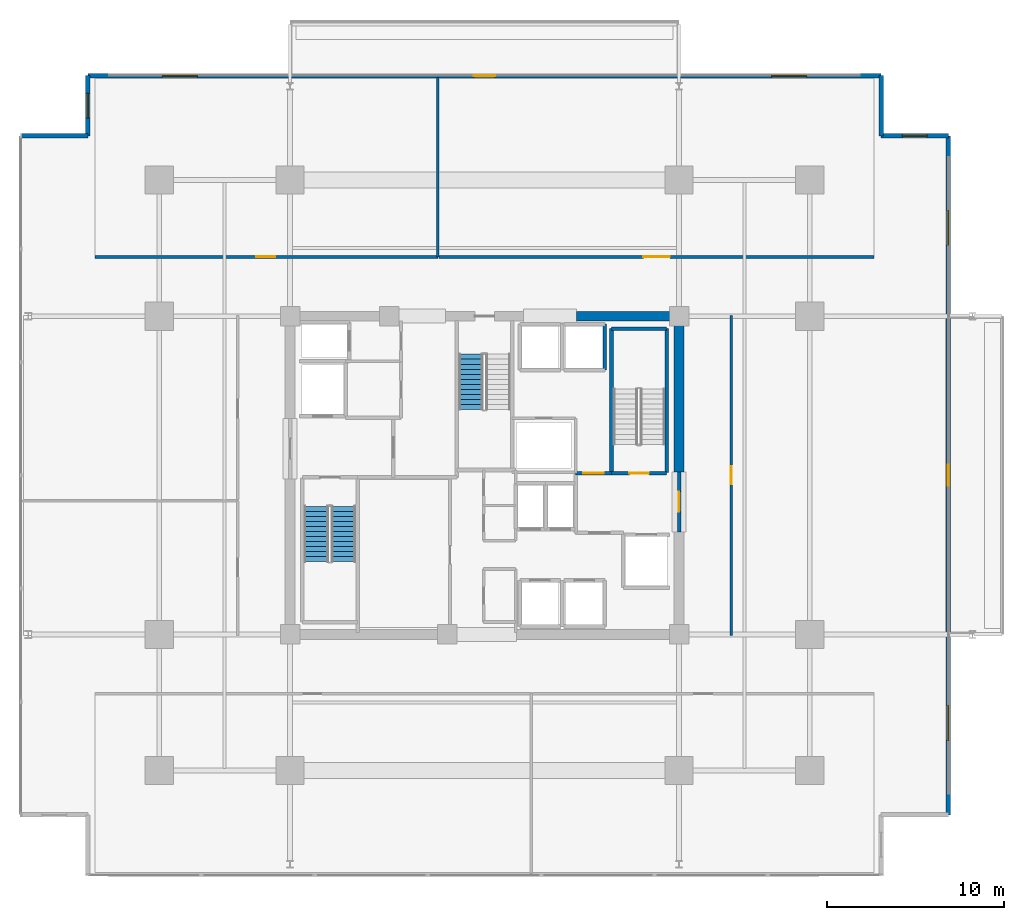
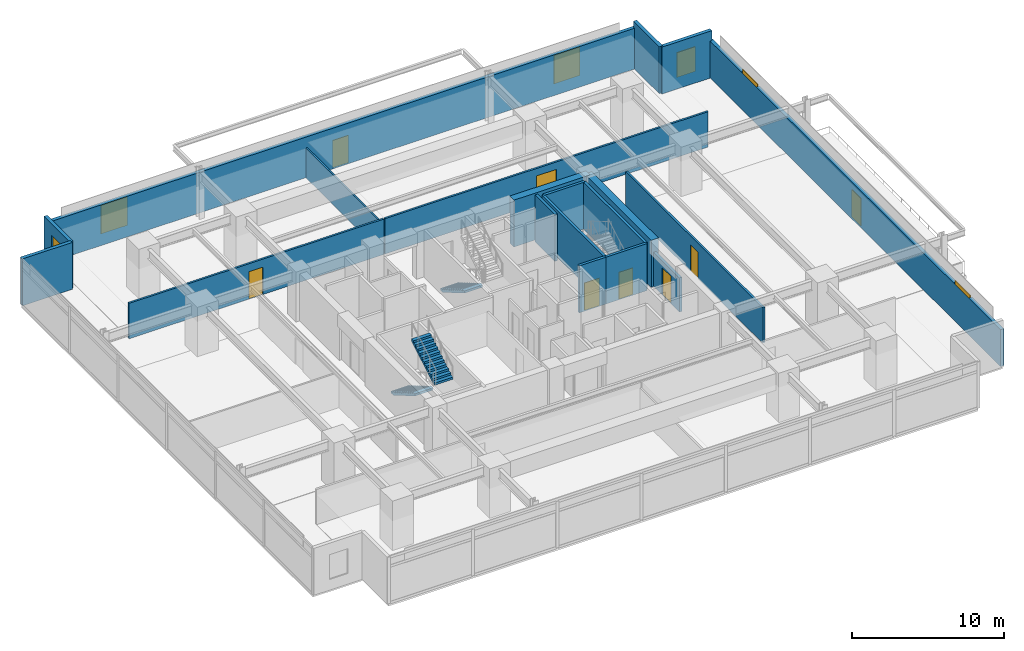
# One storey, part 14 of 20: 19 walls, 8 doors, 6 windows, 3 stair flights, 14 openings, 2 elements without a shape of their own.
"""IFC4 building model written with IfcOpenShell, lengths in metres."""

from ifc_helpers import new_model, si_unit, direction, frame, frame_2d, origin, place, context, subcontext, project, spatial, polyline, rectangle, outline, extrude, material, layer, layer_set, type_object, element, fill, aggregate, save


model = new_model("IFC4")

# Units and contexts
model_context = context("Model", 3, precision=1e-05, world=origin(), true_north=direction((0.0, 1.0)))
body_context = subcontext(model_context, "Body", "Model", "MODEL_VIEW")
ifc_project = project(units=[si_unit("LENGTHUNIT", "METRE"), si_unit("AREAUNIT", "SQUARE_METRE"), si_unit("VOLUMEUNIT", "CUBIC_METRE"), si_unit("PLANEANGLEUNIT", "RADIAN"), si_unit("MASSUNIT", "GRAM", prefix="KILO")], contexts=[model_context])

# Site, building, storey
site_placement = place(None, origin())
site = spatial("IfcSite", under=ifc_project, at=site_placement, CompositionType="ELEMENT")
building_placement = place(site_placement, origin())
building = spatial("IfcBuilding", under=site, at=building_placement, Name="Kovane Verandah Tower", CompositionType="ELEMENT")
storey_placement = place(building_placement, frame((0.0, 0.0, 128.39990234375)))
storey = spatial("IfcBuildingStorey", under=building, at=storey_placement, Name="L29", CompositionType="ELEMENT", Elevation=128.39990234375)

# Wall, opening, door
ifc_material_1 = material(Name="Fire-Rated Gypsum Stud Partition", Category="gypsum")
ifc_layer_1 = layer(ifc_material_1, 0.14990234375)
ifc_layer_set_1 = layer_set([ifc_layer_1], Name="Fire-Rated Gypsum Stud Partition")
wall_type_1 = type_object("IfcWallType", Name="WL-COR-150", PredefinedType="PARTITIONING", material=ifc_layer_set_1)
wall_1_placement = place(storey_placement, frame((17.97119140625, 39.85009765625, 0.0), z_axis=(0.0, 0.0, 1.0), x_axis=(1.0, 0.0, 0.0)))
wall_1 = element("IfcWall", 1, at=wall_1_placement, inside=storey, type_object=wall_type_1, Name="L29 Executive Office N1 Corridor Partition", PredefinedType="PARTITIONING", context=body_context, shape_type="SweptSolid", body=[
    extrude(rectangle(XDim=19.385498046875, YDim=0.14990234375, at=frame_2d((9.69287109375, 0.0))), origin(), (0.0, 0.0, 1.0), 2.85009765625),
])
opening_1_placement = place(wall_1_placement, frame((9.132568359375, 0.0, 0.0)))
opening_1 = element("IfcOpeningElement", 2, at=opening_1_placement, cuts=wall_1, Name="Opening DR-L29-015", PredefinedType="OPENING", context=body_context, shape_type="SweptSolid", body=[
    extrude(rectangle(XDim=1.050048828125, YDim=2.199951171875, at=frame_2d((0.52490234375, 1.10009765625))), frame((0.0, 0.074951171875, 0.0), z_axis=(0.0, -1.0, 0.0), x_axis=(1.0, 0.0, 0.0)), (0.0, 0.0, 1.0), 0.14990234375),
])
ifc_material_2 = material(Name="FSC Blackbutt Timber Fire-Rated Executive Door", Category="wood")
door_type_1 = type_object("IfcDoorType", Name="DR-EXEC-1050", OperationType="SINGLE_SWING_LEFT", PredefinedType="DOOR", material=ifc_material_2)
door_1_placement = place(opening_1_placement, origin())
door_1 = element("IfcDoor", 3, at=door_1_placement, inside=storey, type_object=door_type_1, Name="L29 Executive Office N1 Entrance Door", OperationType="SINGLE_SWING_RIGHT", OverallHeight=2.199951171875, OverallWidth=1.050048828125, PredefinedType="DOOR", context=body_context, shape_type="SweptSolid", body=[
    extrude(rectangle(XDim=1.050048828125, YDim=2.199951171875, at=frame_2d((0.52490234375, 1.10009765625))), frame((0.0, 0.02490234375, 0.0), z_axis=(0.0, -1.0, 0.0), x_axis=(1.0, 0.0, 0.0)), (0.0, 0.0, 1.0), 0.050048828125),
])
fill(opening_1, door_1)

wall_2_placement = place(storey_placement, frame((37.426513671875, 39.85009765625, 0.0), z_axis=(0.0, 0.0, 1.0), x_axis=(1.0, 0.0, 0.0)))
wall_2 = element("IfcWall", 4, at=wall_2_placement, inside=storey, type_object=wall_type_1, Name="L29 Client Boardroom N2 Corridor Partition", PredefinedType="PARTITIONING", context=body_context, shape_type="SweptSolid", body=[
    extrude(rectangle(XDim=24.602294921875, YDim=0.14990234375, at=frame_2d((12.30126953125, 0.0))), origin(), (0.0, 0.0, 1.0), 2.85009765625),
])
opening_2_placement = place(wall_2_placement, frame((11.551025390625, 0.0, 0.0)))
opening_2 = element("IfcOpeningElement", 5, at=opening_2_placement, cuts=wall_2, Name="Opening DR-L29-016", PredefinedType="OPENING", context=body_context, shape_type="SweptSolid", body=[
    extrude(rectangle(XDim=1.5, YDim=2.25, at=frame_2d((0.75, 1.125))), frame((0.0, 0.074951171875, 0.0), z_axis=(0.0, -1.0, 0.0), x_axis=(1.0, 0.0, 0.0)), (0.0, 0.0, 1.0), 0.14990234375),
])
ifc_material_3 = material(Name="Glazed Timber Fire-Rated Double Door", Category="wood")
door_type_2 = type_object("IfcDoorType", Name="DR-CONF-1500", OperationType="DOUBLE_DOOR_SINGLE_SWING", PredefinedType="DOOR", material=ifc_material_3)
door_2_placement = place(opening_2_placement, origin())
door_2 = element("IfcDoor", 6, at=door_2_placement, inside=storey, type_object=door_type_2, Name="L29 Client Boardroom N2 Entrance Door", OperationType="DOUBLE_DOOR_SINGLE_SWING", OverallHeight=2.25, OverallWidth=1.5, PredefinedType="DOOR", context=body_context, shape_type="SweptSolid", body=[
    extrude(rectangle(XDim=1.5, YDim=2.25, at=frame_2d((0.75, 1.125))), frame((0.0, 0.02490234375, 0.0), z_axis=(0.0, -1.0, 0.0), x_axis=(1.0, 0.0, 0.0)), (0.0, 0.0, 1.0), 0.050048828125),
])
fill(opening_2, door_2)

wall_3_placement = place(storey_placement, frame((53.949951171875, 18.449951171875, 0.0), z_axis=(0.0, 0.0, 1.0), x_axis=(0.0, 1.0, 0.0)))
wall_3 = element("IfcWall", 7, at=wall_3_placement, inside=storey, type_object=wall_type_1, Name="L29 Document and Print Room E1 Corridor Partition", PredefinedType="PARTITIONING", context=body_context, shape_type="SweptSolid", body=[
    extrude(rectangle(XDim=18.10009765625, YDim=0.14990234375, at=frame_2d((9.050048828125, 0.0))), origin(), (0.0, 0.0, 1.0), 2.85009765625),
])
opening_3_placement = place(wall_3_placement, frame((8.550048828125, 0.0, 0.0)))
opening_3 = element("IfcOpeningElement", 8, at=opening_3_placement, cuts=wall_3, Name="Opening DR-L29-012", PredefinedType="OPENING", context=body_context, shape_type="SweptSolid", body=[
    extrude(rectangle(XDim=1.0, YDim=2.14990234375, at=frame_2d((0.5, 1.074951171875))), frame((0.0, 0.074951171875, 0.0), z_axis=(0.0, -1.0, 0.0), x_axis=(1.0, 0.0, 0.0)), (0.0, 0.0, 1.0), 0.14990234375),
])
ifc_material_4 = material(Name="FSC Spotted-Gum Timber Fire-Rated Office Door", Category="wood")
door_type_3 = type_object("IfcDoorType", Name="DR-OFF-1000", OperationType="SINGLE_SWING_LEFT", PredefinedType="DOOR", material=ifc_material_4)
door_3_placement = place(opening_3_placement, origin())
door_3 = element("IfcDoor", 9, at=door_3_placement, inside=storey, type_object=door_type_3, Name="L29 Document and Print Room E1 Entrance Door", OperationType="SINGLE_SWING_RIGHT", OverallHeight=2.14990234375, OverallWidth=1.0, PredefinedType="DOOR", context=body_context, shape_type="SweptSolid", body=[
    extrude(rectangle(XDim=1.0, YDim=2.14990234375, at=frame_2d((0.5, 1.074951171875))), frame((0.0, 0.02490234375, 0.0), z_axis=(0.0, -1.0, 0.0), x_axis=(1.0, 0.0, 0.0)), (0.0, 0.0, 1.0), 0.050048828125),
])
fill(opening_3, door_3)

# Walls
ifc_material_5 = material(Name="Concrete C60/75", Category="concrete")
ifc_layer_2 = layer(ifc_material_5, 0.550048828125)
ifc_layer_set_2 = layer_set([ifc_layer_2], Name="Concrete C60/75")
wall_type_2 = type_object("IfcWallType", Name="WL-CORE-550", PredefinedType="SHEAR", material=ifc_layer_set_2)
wall_4_placement = place(storey_placement, frame((45.199951171875, 36.5, 0.0), z_axis=(0.0, 0.0, 1.0), x_axis=(1.0, 0.0, 0.0)))
element("IfcWall", 10, at=wall_4_placement, inside=storey, type_object=wall_type_2, Name="L29 Core Shear Wall CN-3", PredefinedType="SHEAR", context=body_context, shape_type="SweptSolid", body=[
    extrude(rectangle(XDim=5.800048828125, YDim=0.550048828125, at=frame_2d((2.89990234375, 0.0))), origin(), (0.0, 0.0, 1.0), 3.775146484375),
])
wall_5_placement = place(storey_placement, frame((51.0, 27.699951171875, 0.0), z_axis=(0.0, 0.0, 1.0), x_axis=(0.0, 1.0, 0.0)))
element("IfcWall", 11, at=wall_5_placement, inside=storey, type_object=wall_type_2, Name="L29 Core Shear Wall CE-2", PredefinedType="SHEAR", context=body_context, shape_type="SweptSolid", body=[
    extrude(rectangle(XDim=8.800048828125, YDim=0.550048828125, at=frame_2d((4.39990234375, 0.0))), origin(), (0.0, 0.0, 1.0), 3.775146484375),
])

# Wall, opening, door
ifc_material_6 = material(Name="Concrete C45/55 Fire Wall", Category="concrete")
ifc_layer_3 = layer(ifc_material_6, 0.199951171875)
ifc_layer_set_3 = layer_set([ifc_layer_3], Name="Concrete C45/55 Fire Wall")
wall_type_3 = type_object("IfcWallType", Name="WL-FFL-200", PredefinedType="PARTITIONING", material=ifc_layer_set_3)
wall_6_placement = place(storey_placement, frame((45.14990234375, 27.6201171875, 0.0), z_axis=(0.0, 0.0, 1.0), x_axis=(1.0, 0.0, 0.0)))
wall_6 = element("IfcWall", 12, at=wall_6_placement, inside=storey, type_object=wall_type_3, Name="W-L29-FFLE-N", PredefinedType="PARTITIONING", context=body_context, shape_type="SweptSolid", body=[
    extrude(rectangle(XDim=2.030029296875, YDim=0.199951171875, at=frame_2d((1.01513671875, 0.0))), origin(), (0.0, 0.0, 1.0), 3.775146484375),
])
opening_4_placement = place(wall_6_placement, frame((0.43994140625, 0.0, 0.0)))
opening_4 = element("IfcOpeningElement", 13, at=opening_4_placement, cuts=wall_6, Name="Opening DR-L29-004", PredefinedType="OPENING", context=body_context, shape_type="SweptSolid", body=[
    extrude(rectangle(XDim=1.14990234375, YDim=2.199951171875, at=frame_2d((0.574951171875, 1.10009765625))), frame((0.0, 0.10009765625, 0.0), z_axis=(0.0, -1.0, 0.0), x_axis=(1.0, 0.0, 0.0)), (0.0, 0.0, 1.0), 0.199951171875),
])
ifc_material_7 = material(Name="Smoke-Sealed Firefighting Lobby Door", Category="steel")
door_type_4 = type_object("IfcDoorType", Name="DR-FFL-1150", OperationType="SINGLE_SWING_LEFT", PredefinedType="DOOR", material=ifc_material_7)
door_4_placement = place(opening_4_placement, origin())
door_4 = element("IfcDoor", 14, at=door_4_placement, inside=storey, type_object=door_type_4, Name="L29 East Firefighting Lobby Shuttle Link Door", OperationType="SINGLE_SWING_LEFT", OverallHeight=2.199951171875, OverallWidth=1.14990234375, PredefinedType="DOOR", context=body_context, shape_type="SweptSolid", body=[
    extrude(rectangle(XDim=1.14990234375, YDim=2.199951171875, at=frame_2d((0.574951171875, 1.10009765625))), frame((0.0, 0.02490234375, 0.0), z_axis=(0.0, -1.0, 0.0), x_axis=(1.0, 0.0, 0.0)), (0.0, 0.0, 1.0), 0.050048828125),
])
fill(opening_4, door_4)

wall_7_placement = place(storey_placement, frame((51.0, 24.300048828125, 0.0), z_axis=(0.0, 0.0, 1.0), x_axis=(0.0, 1.0, 0.0)))
wall_7 = element("IfcWall", 15, at=wall_7_placement, inside=storey, type_object=wall_type_3, Name="W-L29-FFLE-OUT", PredefinedType="PARTITIONING", context=body_context, shape_type="SweptSolid", body=[
    extrude(rectangle(XDim=3.39990234375, YDim=0.199951171875, at=frame_2d((1.699951171875, 0.0))), origin(), (0.0, 0.0, 1.0), 2.755126953125),
])
opening_5_placement = place(wall_7_placement, frame((1.125, 0.0, 0.0)))
opening_5 = element("IfcOpeningElement", 16, at=opening_5_placement, cuts=wall_7, Name="Opening DR-L29-005", PredefinedType="OPENING", context=body_context, shape_type="SweptSolid", body=[
    extrude(rectangle(XDim=1.14990234375, YDim=2.199951171875, at=frame_2d((0.574951171875, 1.10009765625))), frame((0.0, 0.10009765625, 0.0), z_axis=(0.0, -1.0, 0.0), x_axis=(1.0, 0.0, 0.0)), (0.0, 0.0, 1.0), 0.199951171875),
])
door_5_placement = place(opening_5_placement, origin())
door_5 = element("IfcDoor", 17, at=door_5_placement, inside=storey, type_object=door_type_4, Name="L29 East Firefighting Lobby Corridor Door", OperationType="SINGLE_SWING_LEFT", OverallHeight=2.199951171875, OverallWidth=1.14990234375, PredefinedType="DOOR", context=body_context, shape_type="SweptSolid", body=[
    extrude(rectangle(XDim=1.14990234375, YDim=2.199951171875, at=frame_2d((0.574951171875, 1.10009765625))), frame((0.0, 0.02490234375, 0.0), z_axis=(0.0, -1.0, 0.0), x_axis=(1.0, 0.0, 0.0)), (0.0, 0.0, 1.0), 0.050048828125),
])
fill(opening_5, door_5)

# Walls
ifc_material_8 = material(Name="Concrete C45/55 Lift Shaft Wall", Category="concrete")
ifc_layer_4 = layer(ifc_material_8, 0.199951171875)
ifc_layer_set_4 = layer_set([ifc_layer_4], Name="Concrete C45/55 Lift Shaft Wall")
wall_type_4 = type_object("IfcWallType", Name="WL-LIFT-200", PredefinedType="SOLIDWALL", material=ifc_layer_set_4)
wall_8_placement = place(storey_placement, frame((46.800048828125, 33.449951171875, 0.0), z_axis=(0.0, 0.0, 1.0), x_axis=(0.0, 1.0, 0.0)))
element("IfcWall", 18, at=wall_8_placement, inside=storey, type_object=wall_type_4, Name="L29 Lift OL-01 E Shaft Wall", PredefinedType="SOLIDWALL", context=body_context, shape_type="SweptSolid", body=[
    extrude(rectangle(XDim=2.60009765625, YDim=0.199951171875, at=frame_2d((1.300048828125, 0.0))), origin(), (0.0, 0.0, 1.0), 3.775146484375),
])
ifc_material_9 = material(Name="Acoustic Fire-Rated Gypsum Partition", Category="gypsum")
ifc_layer_5 = layer(ifc_material_9, 0.1201171875)
ifc_layer_set_5 = layer_set([ifc_layer_5], Name="Acoustic Fire-Rated Gypsum Partition")
wall_type_5 = type_object("IfcWallType", Name="WL-PART-120", PredefinedType="PARTITIONING", material=ifc_layer_set_5)
wall_9_placement = place(storey_placement, frame((37.356689453125, 39.85009765625, 0.0), z_axis=(0.0, 0.0, 1.0), x_axis=(0.0, 1.0, 0.0)))
element("IfcWall", 19, at=wall_9_placement, inside=storey, type_object=wall_type_5, Name="L29 Executive Office N1 Dividing Partition", PredefinedType="PARTITIONING", context=body_context, shape_type="SweptSolid", body=[
    extrude(rectangle(XDim=10.14990234375, YDim=0.1201171875, at=frame_2d((5.074951171875, 0.0))), origin(), (0.0, 0.0, 1.0), 2.405029296875),
])
ifc_material_10 = material(Name="Concrete C45/55", Category="concrete")
ifc_layer_6 = layer(ifc_material_10, 0.199951171875)
ifc_layer_set_6 = layer_set([ifc_layer_6], Name="Concrete C45/55")
wall_type_6 = type_object("IfcWallType", Name="WL-SHAFT-200", PredefinedType="SOLIDWALL", material=ifc_layer_set_6)
wall_10_placement = place(storey_placement, frame((50.300048828125, 27.64990234375, 0.0), z_axis=(0.0, 0.0, 1.0), x_axis=(0.0, 1.0, 0.0)))
element("IfcWall", 20, at=wall_10_placement, inside=storey, type_object=wall_type_6, Name="W-L29-ST02-E", PredefinedType="SOLIDWALL", context=body_context, shape_type="SweptSolid", body=[
    extrude(rectangle(XDim=8.150146484375, YDim=0.199951171875, at=frame_2d((4.0751953125, 0.0))), origin(), (0.0, 0.0, 1.0), 3.775146484375),
])
wall_11_placement = place(storey_placement, frame((47.179931640625, 35.800048828125, 0.0), z_axis=(0.0, 0.0, 1.0), x_axis=(1.0, 0.0, 0.0)))
element("IfcWall", 21, at=wall_11_placement, inside=storey, type_object=wall_type_6, Name="W-L29-ST02-N", PredefinedType="SOLIDWALL", context=body_context, shape_type="SweptSolid", body=[
    extrude(rectangle(XDim=3.1201171875, YDim=0.199951171875, at=frame_2d((1.56005859375, 0.0))), origin(), (0.0, 0.0, 1.0), 3.775146484375),
])
wall_12_placement = place(storey_placement, frame((47.179931640625, 27.6201171875, 0.0), z_axis=(0.0, 0.0, 1.0), x_axis=(0.0, 1.0, 0.0)))
element("IfcWall", 22, at=wall_12_placement, inside=storey, type_object=wall_type_6, Name="W-L29-ST02-W", PredefinedType="SOLIDWALL", context=body_context, shape_type="SweptSolid", body=[
    extrude(rectangle(XDim=8.179931640625, YDim=0.199951171875, at=frame_2d((4.08984375, 0.0))), origin(), (0.0, 0.0, 1.0), 3.775146484375),
])

# Wall, opening, door
wall_13_placement = place(storey_placement, frame((47.179931640625, 27.6201171875, 0.0), z_axis=(0.0, 0.0, 1.0), x_axis=(1.0, 0.0, 0.0)))
wall_13 = element("IfcWall", 23, at=wall_13_placement, inside=storey, type_object=wall_type_6, Name="W-L29-ST02-S", PredefinedType="SOLIDWALL", context=body_context, shape_type="SweptSolid", body=[
    extrude(rectangle(XDim=3.1201171875, YDim=0.199951171875, at=frame_2d((1.56005859375, 0.0))), origin(), (0.0, 0.0, 1.0), 3.775146484375),
])
opening_6_placement = place(wall_13_placement, frame((1.010009765625, 0.0, 0.0)))
opening_6 = element("IfcOpeningElement", 24, at=opening_6_placement, cuts=wall_13, Name="Opening DR-L29-010", PredefinedType="OPENING", context=body_context, shape_type="SweptSolid", body=[
    extrude(rectangle(XDim=1.10009765625, YDim=2.14990234375, at=frame_2d((0.550048828125, 1.074951171875))), frame((0.0, 0.10009765625, 0.0), z_axis=(0.0, -1.0, 0.0), x_axis=(1.0, 0.0, 0.0)), (0.0, 0.0, 1.0), 0.199951171875),
])
ifc_material_11 = material(Name="Fire-Rated Steel Exit Door", Category="steel")
door_type_5 = type_object("IfcDoorType", Name="DR-STAIR-1100", OperationType="SINGLE_SWING_LEFT", PredefinedType="DOOR", material=ifc_material_11)
door_6_placement = place(opening_6_placement, origin())
door_6 = element("IfcDoor", 25, at=door_6_placement, inside=storey, type_object=door_type_5, Name="L29 ST-02 Fire Exit Stair Door", OperationType="SINGLE_SWING_LEFT", OverallHeight=2.14990234375, OverallWidth=1.10009765625, PredefinedType="DOOR", context=body_context, shape_type="SweptSolid", body=[
    extrude(rectangle(XDim=1.10009765625, YDim=2.14990234375, at=frame_2d((0.550048828125, 1.074951171875))), frame((0.0, 0.02490234375, 0.0), z_axis=(0.0, -1.0, 0.0), x_axis=(1.0, 0.0, 0.0)), (0.0, 0.0, 1.0), 0.050048828125),
])
fill(opening_6, door_6)

# Wall, openings, door, windows
ifc_material_12 = material(Name="Concrete C45/55 Insulated Spandrel Wall", Category="concrete")
ifc_layer_7 = layer(ifc_material_12, 0.260009765625)
ifc_layer_set_7 = layer_set([ifc_layer_7], Name="Concrete C45/55 Insulated Spandrel Wall")
wall_type_7 = type_object("IfcWallType", Name="WL-SPANDREL-260", PredefinedType="PARAPET", material=ifc_layer_set_7)
wall_14_placement = place(storey_placement, frame((66.228759765625, 8.2998046875, 0.0), z_axis=(0.0, 0.0, 1.0), x_axis=(0.0, 1.0, 0.0)))
wall_14 = element("IfcWall", 26, at=wall_14_placement, inside=storey, type_object=wall_type_7, Name="L29 E Verandah Access Facade Wall", PredefinedType="PARAPET", context=body_context, shape_type="SweptSolid", body=[
    extrude(rectangle(XDim=38.400390625, YDim=0.260009765625, at=frame_2d((19.2001953125, 0.0))), origin(), (0.0, 0.0, 1.0), 2.97021484375),
])
opening_7_placement = place(wall_14_placement, frame((4.199951171875, 0.0, 0.85009765625)))
opening_7 = element("IfcOpeningElement", 27, at=opening_7_placement, cuts=wall_14, Name="Opening W-04", PredefinedType="OPENING", context=body_context, shape_type="SweptSolid", body=[
    extrude(rectangle(XDim=2.0, YDim=2.300048828125, at=frame_2d((1.0, 1.14990234375))), frame((0.0, 0.1298828125, 0.0), z_axis=(0.0, -1.0, 0.0), x_axis=(1.0, 0.0, 0.0)), (0.0, 0.0, 1.0), 0.260009765625),
])
opening_8_placement = place(wall_14_placement, frame((18.60009765625, 0.0, 0.0)))
opening_8 = element("IfcOpeningElement", 28, at=opening_8_placement, cuts=wall_14, Name="Opening DR-L29-001", PredefinedType="OPENING", context=body_context, shape_type="SweptSolid", body=[
    extrude(rectangle(XDim=1.199951171875, YDim=2.199951171875, at=frame_2d((0.60009765625, 1.10009765625))), frame((0.0, 0.1298828125, 0.0), z_axis=(0.0, -1.0, 0.0), x_axis=(1.0, 0.0, 0.0)), (0.0, 0.0, 1.0), 0.260009765625),
])
opening_9_placement = place(wall_14_placement, frame((32.2001953125, 0.0, 0.85009765625)))
opening_9 = element("IfcOpeningElement", 29, at=opening_9_placement, cuts=wall_14, Name="Opening W-04", PredefinedType="OPENING", context=body_context, shape_type="SweptSolid", body=[
    extrude(rectangle(XDim=2.0, YDim=2.300048828125, at=frame_2d((1.0, 1.14990234375))), frame((0.0, 0.1298828125, 0.0), z_axis=(0.0, -1.0, 0.0), x_axis=(1.0, 0.0, 0.0)), (0.0, 0.0, 1.0), 0.260009765625),
])
ifc_material_13 = material(Name="Cyclone-Rated Glazed Balcony Leaf Door", Category="aluminium")
door_type_6 = type_object("IfcDoorType", Name="DR-BAL-1200x2200", OperationType="SINGLE_SWING_LEFT", PredefinedType="DOOR", material=ifc_material_13)
door_7_placement = place(opening_8_placement, origin())
door_7 = element("IfcDoor", 30, at=door_7_placement, inside=storey, type_object=door_type_6, Name="L29 E Planted Balcony Access Door", OperationType="SINGLE_SWING_LEFT", OverallHeight=2.199951171875, OverallWidth=1.199951171875, PredefinedType="DOOR", context=body_context, shape_type="SweptSolid", body=[
    extrude(rectangle(XDim=1.199951171875, YDim=2.199951171875, at=frame_2d((0.60009765625, 1.10009765625))), frame((0.0, 0.02490234375, 0.0), z_axis=(0.0, -1.0, 0.0), x_axis=(1.0, 0.0, 0.0)), (0.0, 0.0, 1.0), 0.050048828125),
])
fill(opening_8, door_7)
ifc_material_14 = material(Name="Clear Low-E Laminated Double Glazing in Anodised Frame", Category="glass")
window_type_1 = type_object("IfcWindowType", Name="WN-FIXED-2000x2300", PartitioningType="SINGLE_PANEL", PredefinedType="WINDOW", material=ifc_material_14)
window_1_placement = place(opening_7_placement, origin())
window_1 = element("IfcWindow", 31, at=window_1_placement, inside=storey, type_object=window_type_1, Name="L29 E Verandah View Window 1", OverallHeight=2.300048828125, OverallWidth=2.0, PartitioningType="SINGLE_PANEL", PredefinedType="WINDOW", context=body_context, shape_type="SweptSolid", body=[
    extrude(rectangle(XDim=2.0, YDim=2.300048828125, at=frame_2d((1.0, 1.14990234375))), frame((0.0, 0.030029296875, 0.0), z_axis=(0.0, -1.0, 0.0), x_axis=(1.0, 0.0, 0.0)), (0.0, 0.0, 1.0), 0.06005859375),
])
fill(opening_7, window_1)
window_2_placement = place(opening_9_placement, origin())
window_2 = element("IfcWindow", 32, at=window_2_placement, inside=storey, type_object=window_type_1, Name="L29 E Verandah View Window 2", OverallHeight=2.300048828125, OverallWidth=2.0, PartitioningType="SINGLE_PANEL", PredefinedType="WINDOW", context=body_context, shape_type="SweptSolid", body=[
    extrude(rectangle(XDim=2.0, YDim=2.300048828125, at=frame_2d((1.0, 1.14990234375))), frame((0.0, 0.030029296875, 0.0), z_axis=(0.0, -1.0, 0.0), x_axis=(1.0, 0.0, 0.0)), (0.0, 0.0, 1.0), 0.06005859375),
])
fill(opening_9, window_2)

wall_15_placement = place(storey_placement, frame((62.4287109375, 50.10009765625, 0.0), z_axis=(0.0, 0.0, 1.0), x_axis=(-1.0, 0.0, 0.0)))
wall_15 = element("IfcWall", 33, at=wall_15_placement, inside=storey, type_object=wall_type_7, Name="L29 N Verandah Access Facade Wall", PredefinedType="PARAPET", context=body_context, shape_type="SweptSolid", body=[
    extrude(rectangle(XDim=44.857421875, YDim=0.260009765625, at=frame_2d((22.4287109375, 0.0))), origin(), (0.0, 0.0, 1.0), 3.27294921875),
])
opening_10_placement = place(wall_15_placement, frame((4.199951171875, 0.0, 0.85009765625)))
opening_10 = element("IfcOpeningElement", 34, at=opening_10_placement, cuts=wall_15, Name="Opening W-04", PredefinedType="OPENING", context=body_context, shape_type="SweptSolid", body=[
    extrude(rectangle(XDim=2.0, YDim=2.300048828125, at=frame_2d((1.0, 1.14990234375))), frame((0.0, 0.1298828125, 0.0), z_axis=(0.0, -1.0, 0.0), x_axis=(1.0, 0.0, 0.0)), (0.0, 0.0, 1.0), 0.260009765625),
])
opening_11_placement = place(wall_15_placement, frame((21.82861328125, 0.0, 0.0)))
opening_11 = element("IfcOpeningElement", 35, at=opening_11_placement, cuts=wall_15, Name="Opening DR-L29-002", PredefinedType="OPENING", context=body_context, shape_type="SweptSolid", body=[
    extrude(rectangle(XDim=1.199951171875, YDim=2.199951171875, at=frame_2d((0.60009765625, 1.10009765625))), frame((0.0, 0.1298828125, 0.0), z_axis=(0.0, -1.0, 0.0), x_axis=(1.0, 0.0, 0.0)), (0.0, 0.0, 1.0), 0.260009765625),
])
opening_12_placement = place(wall_15_placement, frame((38.657470703125, 0.0, 0.85009765625)))
opening_12 = element("IfcOpeningElement", 36, at=opening_12_placement, cuts=wall_15, Name="Opening W-04", PredefinedType="OPENING", context=body_context, shape_type="SweptSolid", body=[
    extrude(rectangle(XDim=2.0, YDim=2.300048828125, at=frame_2d((1.0, 1.14990234375))), frame((0.0, 0.1298828125, 0.0), z_axis=(0.0, -1.0, 0.0), x_axis=(1.0, 0.0, 0.0)), (0.0, 0.0, 1.0), 0.260009765625),
])
door_8_placement = place(opening_11_placement, origin())
door_8 = element("IfcDoor", 37, at=door_8_placement, inside=storey, type_object=door_type_6, Name="L29 N Planted Balcony Access Door", OperationType="SINGLE_SWING_LEFT", OverallHeight=2.199951171875, OverallWidth=1.199951171875, PredefinedType="DOOR", context=body_context, shape_type="SweptSolid", body=[
    extrude(rectangle(XDim=1.199951171875, YDim=2.199951171875, at=frame_2d((0.60009765625, 1.10009765625))), frame((0.0, 0.02490234375, 0.0), z_axis=(0.0, -1.0, 0.0), x_axis=(1.0, 0.0, 0.0)), (0.0, 0.0, 1.0), 0.050048828125),
])
fill(opening_11, door_8)
window_3_placement = place(opening_10_placement, origin())
window_3 = element("IfcWindow", 38, at=window_3_placement, inside=storey, type_object=window_type_1, Name="L29 N Verandah View Window 1", OverallHeight=2.300048828125, OverallWidth=2.0, PartitioningType="SINGLE_PANEL", PredefinedType="WINDOW", context=body_context, shape_type="SweptSolid", body=[
    extrude(rectangle(XDim=2.0, YDim=2.300048828125, at=frame_2d((1.0, 1.14990234375))), frame((0.0, 0.030029296875, 0.0), z_axis=(0.0, -1.0, 0.0), x_axis=(1.0, 0.0, 0.0)), (0.0, 0.0, 1.0), 0.06005859375),
])
fill(opening_10, window_3)
window_4_placement = place(opening_12_placement, origin())
window_4 = element("IfcWindow", 39, at=window_4_placement, inside=storey, type_object=window_type_1, Name="L29 N Verandah View Window 2", OverallHeight=2.300048828125, OverallWidth=2.0, PartitioningType="SINGLE_PANEL", PredefinedType="WINDOW", context=body_context, shape_type="SweptSolid", body=[
    extrude(rectangle(XDim=2.0, YDim=2.300048828125, at=frame_2d((1.0, 1.14990234375))), frame((0.0, 0.030029296875, 0.0), z_axis=(0.0, -1.0, 0.0), x_axis=(1.0, 0.0, 0.0)), (0.0, 0.0, 1.0), 0.06005859375),
])
fill(opening_12, window_4)

# Wall, opening, window
wall_16_placement = place(storey_placement, frame((66.228759765625, 46.7001953125, 0.0), z_axis=(0.0, 0.0, 1.0), x_axis=(-1.0, 0.0, 0.0)))
wall_16 = element("IfcWall", 40, at=wall_16_placement, inside=storey, type_object=wall_type_7, Name="L29 NE Notch Cheek Wall 1", PredefinedType="PARAPET", context=body_context, shape_type="SweptSolid", body=[
    extrude(rectangle(XDim=3.800048828125, YDim=0.260009765625, at=frame_2d((1.89990234375, 0.0))), origin(), (0.0, 0.0, 1.0), 3.775146484375),
])
opening_13_placement = place(wall_16_placement, frame((1.199951171875, 0.0, 0.85009765625)))
opening_13 = element("IfcOpeningElement", 41, at=opening_13_placement, cuts=wall_16, Name="Opening W-01", PredefinedType="OPENING", context=body_context, shape_type="SweptSolid", body=[
    extrude(rectangle(XDim=1.39990234375, YDim=2.0, at=frame_2d((0.699951171875, 1.0))), frame((0.0, 0.1298828125, 0.0), z_axis=(0.0, -1.0, 0.0), x_axis=(1.0, 0.0, 0.0)), (0.0, 0.0, 1.0), 0.260009765625),
])
window_type_2 = type_object("IfcWindowType", Name="WN-OPER-1400x2000", PartitioningType="SINGLE_PANEL", PredefinedType="WINDOW", material=ifc_material_14)
window_5_placement = place(opening_13_placement, origin())
window_5 = element("IfcWindow", 42, at=window_5_placement, inside=storey, type_object=window_type_2, Name="L29 NE Re-Entrant Corner Operable Window", OverallHeight=2.0, OverallWidth=1.39990234375, PartitioningType="SINGLE_PANEL", PredefinedType="WINDOW", context=body_context, shape_type="SweptSolid", body=[
    extrude(rectangle(XDim=1.39990234375, YDim=2.0, at=frame_2d((0.699951171875, 1.0))), frame((0.0, 0.030029296875, 0.0), z_axis=(0.0, -1.0, 0.0), x_axis=(1.0, 0.0, 0.0)), (0.0, 0.0, 1.0), 0.06005859375),
])
fill(opening_13, window_5)

# Wall
wall_17_placement = place(storey_placement, frame((62.4287109375, 46.7001953125, 0.0), z_axis=(0.0, 0.0, 1.0), x_axis=(0.0, 1.0, 0.0)))
element("IfcWall", 43, at=wall_17_placement, inside=storey, type_object=wall_type_7, Name="L29 NE Notch Cheek Wall 2", PredefinedType="PARAPET", context=body_context, shape_type="SweptSolid", body=[
    extrude(rectangle(XDim=3.39990234375, YDim=0.260009765625, at=frame_2d((1.699951171875, 0.0))), origin(), (0.0, 0.0, 1.0), 3.775146484375),
])

# Wall, opening, window
wall_18_placement = place(storey_placement, frame((17.5712890625, 50.10009765625, 0.0), z_axis=(0.0, 0.0, 1.0), x_axis=(0.0, -1.0, 0.0)))
wall_18 = element("IfcWall", 44, at=wall_18_placement, inside=storey, type_object=wall_type_7, Name="L29 NW Notch Cheek Wall 1", PredefinedType="PARAPET", context=body_context, shape_type="SweptSolid", body=[
    extrude(rectangle(XDim=3.39990234375, YDim=0.260009765625, at=frame_2d((1.699951171875, 0.0))), origin(), (0.0, 0.0, 1.0), 3.775146484375),
])
opening_14_placement = place(wall_18_placement, frame((1.0, 0.0, 0.85009765625)))
opening_14 = element("IfcOpeningElement", 45, at=opening_14_placement, cuts=wall_18, Name="Opening W-01", PredefinedType="OPENING", context=body_context, shape_type="SweptSolid", body=[
    extrude(rectangle(XDim=1.39990234375, YDim=2.0, at=frame_2d((0.699951171875, 1.0))), frame((0.0, 0.1298828125, 0.0), z_axis=(0.0, -1.0, 0.0), x_axis=(1.0, 0.0, 0.0)), (0.0, 0.0, 1.0), 0.260009765625),
])
window_6_placement = place(opening_14_placement, origin())
window_6 = element("IfcWindow", 46, at=window_6_placement, inside=storey, type_object=window_type_2, Name="L29 NW Re-Entrant Corner Operable Window", OverallHeight=2.0, OverallWidth=1.39990234375, PartitioningType="SINGLE_PANEL", PredefinedType="WINDOW", context=body_context, shape_type="SweptSolid", body=[
    extrude(rectangle(XDim=1.39990234375, YDim=2.0, at=frame_2d((0.699951171875, 1.0))), frame((0.0, 0.030029296875, 0.0), z_axis=(0.0, -1.0, 0.0), x_axis=(1.0, 0.0, 0.0)), (0.0, 0.0, 1.0), 0.06005859375),
])
fill(opening_14, window_6)

# Wall
wall_19_placement = place(storey_placement, frame((17.5712890625, 46.7001953125, 0.0), z_axis=(0.0, 0.0, 1.0), x_axis=(-1.0, 0.0, 0.0)))
element("IfcWall", 47, at=wall_19_placement, inside=storey, type_object=wall_type_7, Name="L29 NW Notch Cheek Wall 2", PredefinedType="PARAPET", context=body_context, shape_type="SweptSolid", body=[
    extrude(rectangle(XDim=3.800048828125, YDim=0.260009765625, at=frame_2d((1.89990234375, 0.0))), origin(), (0.0, 0.0, 1.0), 3.775146484375),
])

# Stair, stair flights
stair_type = type_object("IfcStairType", Name="ST-CORE-1380", PredefinedType="HALF_TURN_STAIR", material=ifc_material_10)
stair_1_placement = place(storey_placement, origin())
stair_1 = element("IfcStair", 48, at=stair_1_placement, inside=storey, type_object=stair_type, Name="L29 Exit Stair ST-01", PredefinedType="HALF_TURN_STAIR")
stair_flight_type = type_object("IfcStairFlightType", Name="STF-CORE-1380", PredefinedType="STRAIGHT", material=ifc_material_10)
stair_flight_1_placement = place(storey_placement, frame((30.489990234375, 25.75, 0.0), z_axis=(0.0, 0.0, 1.0), x_axis=(0.0, -1.0, 0.0)))
stair_flight_1 = element("IfcStairFlight", 49, at=stair_flight_1_placement, type_object=stair_flight_type, Name="ST-01 flight 1", NumberOfRisers=12, NumberOfTreads=11, PredefinedType="STRAIGHT", RiserHeight=0.166666667, TreadLength=0.285, context=body_context, shape_type="SweptSolid", body=[
    extrude(outline(polyline([(0.0, 0.0), (0.0, 0.166748046875), (0.284912109375, 0.166748046875), (0.284912109375, 0.333251953125), (0.570068359375, 0.333251953125), (0.570068359375, 0.5), (0.85498046875, 0.5), (0.85498046875, 0.666748046875), (1.139892578125, 0.666748046875), (1.139892578125, 0.833251953125), (1.425048828125, 0.833251953125), (1.425048828125, 1.0), (1.7099609375, 1.0), (1.7099609375, 1.166748046875), (1.9951171875, 1.166748046875), (1.9951171875, 1.333251953125), (2.280029296875, 1.333251953125), (2.280029296875, 1.5), (2.56494140625, 1.5), (2.56494140625, 1.666748046875), (2.85009765625, 1.666748046875), (2.85009765625, 1.833251953125), (3.135009765625, 1.833251953125), (3.135009765625, 2.0), (3.135009765625, 1.65966796875), (0.296875, 0.0), (0.0, 0.0)])), frame((0.0, 0.68994140625, 0.0), z_axis=(0.0, -1.0, 0.0), x_axis=(1.0, 0.0, 0.0)), (0.0, 0.0, 1.0), 1.3798828125),
])
stair_flight_2_placement = place(storey_placement, frame((32.030029296875, 22.614990234375, 2.0), z_axis=(0.0, 0.0, 1.0), x_axis=(0.0, 1.0, 0.0)))
stair_flight_2 = element("IfcStairFlight", 50, at=stair_flight_2_placement, type_object=stair_flight_type, Name="ST-01 flight 2", NumberOfRisers=12, NumberOfTreads=11, PredefinedType="STRAIGHT", RiserHeight=0.166666667, TreadLength=0.285, context=body_context, shape_type="SweptSolid", body=[
    extrude(outline(polyline([(0.0, 0.0), (0.0, 0.166748046875), (0.284912109375, 0.166748046875), (0.284912109375, 0.333251953125), (0.570068359375, 0.333251953125), (0.570068359375, 0.5), (0.85498046875, 0.5), (0.85498046875, 0.666748046875), (1.139892578125, 0.666748046875), (1.139892578125, 0.833251953125), (1.425048828125, 0.833251953125), (1.425048828125, 1.0), (1.7099609375, 1.0), (1.7099609375, 1.166748046875), (1.9951171875, 1.166748046875), (1.9951171875, 1.333251953125), (2.280029296875, 1.333251953125), (2.280029296875, 1.5), (2.56494140625, 1.5), (2.56494140625, 1.666748046875), (2.85009765625, 1.666748046875), (2.85009765625, 1.833251953125), (3.135009765625, 1.833251953125), (3.135009765625, 2.0), (3.135009765625, 1.65966796875), (0.296875, 0.0), (0.0, 0.0)])), frame((0.0, 0.68994140625, 0.0), z_axis=(0.0, -1.0, 0.0), x_axis=(1.0, 0.0, 0.0)), (0.0, 0.0, 1.0), 1.3798828125),
])
aggregate(stair_1, [stair_flight_1, stair_flight_2])

# Stair, stair flight
stair_2_placement = place(storey_placement, origin())
stair_2 = element("IfcStair", 51, at=stair_2_placement, inside=storey, type_object=stair_type, Name="L29 Exit Stair ST-03", PredefinedType="HALF_TURN_STAIR")
stair_flight_3_placement = place(storey_placement, frame((39.22998046875, 34.35009765625, 0.0), z_axis=(0.0, 0.0, 1.0), x_axis=(0.0, -1.0, 0.0)))
stair_flight_3 = element("IfcStairFlight", 52, at=stair_flight_3_placement, type_object=stair_flight_type, Name="ST-03 flight 1", NumberOfRisers=12, NumberOfTreads=11, PredefinedType="STRAIGHT", RiserHeight=0.166666667, TreadLength=0.285, context=body_context, shape_type="SweptSolid", body=[
    extrude(outline(polyline([(0.0, 0.0), (0.0, 0.166748046875), (0.284912109375, 0.166748046875), (0.284912109375, 0.333251953125), (0.570068359375, 0.333251953125), (0.570068359375, 0.5), (0.85498046875, 0.5), (0.85498046875, 0.666748046875), (1.139892578125, 0.666748046875), (1.139892578125, 0.833251953125), (1.425048828125, 0.833251953125), (1.425048828125, 1.0), (1.7099609375, 1.0), (1.7099609375, 1.166748046875), (1.9951171875, 1.166748046875), (1.9951171875, 1.333251953125), (2.280029296875, 1.333251953125), (2.280029296875, 1.5), (2.56494140625, 1.5), (2.56494140625, 1.666748046875), (2.85009765625, 1.666748046875), (2.85009765625, 1.833251953125), (3.135009765625, 1.833251953125), (3.135009765625, 2.0), (3.135009765625, 1.65966796875), (0.296875, 0.0), (0.0, 0.0)])), frame((0.0, 0.68994140625, 0.0), z_axis=(0.0, -1.0, 0.0), x_axis=(1.0, 0.0, 0.0)), (0.0, 0.0, 1.0), 1.3798828125),
])
aggregate(stair_2, [stair_flight_3])

save(model, "model.ifc")
